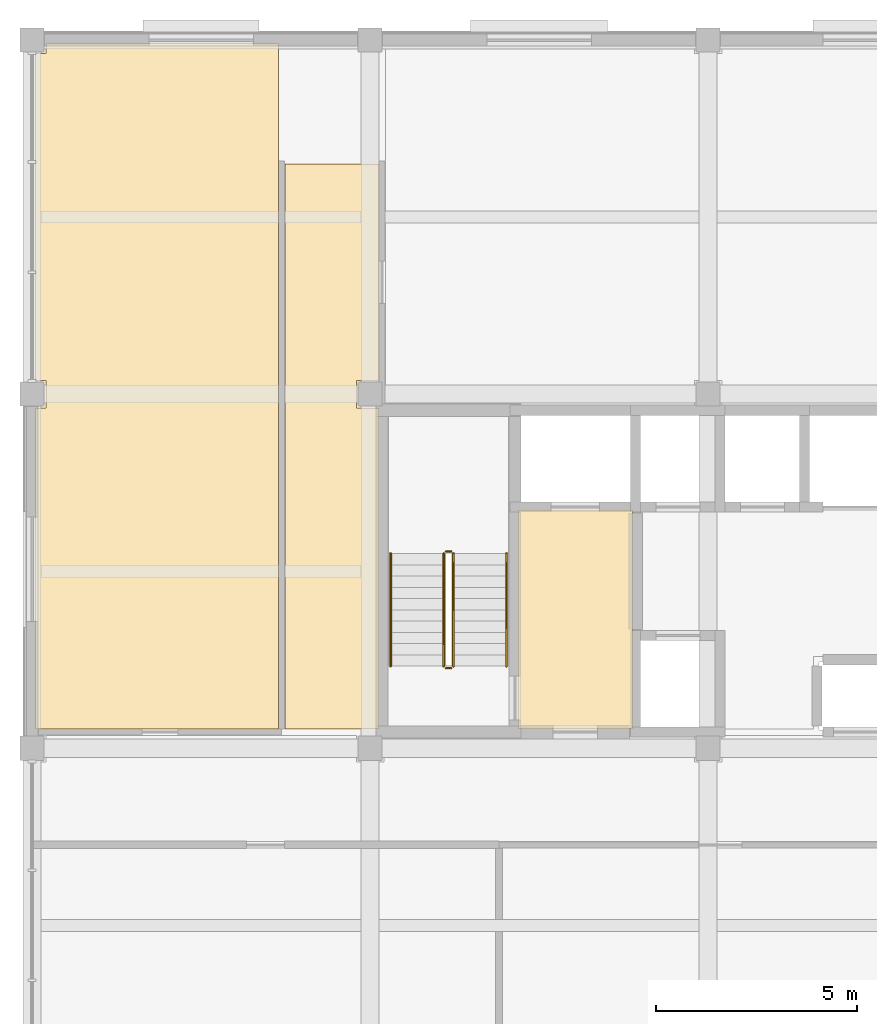
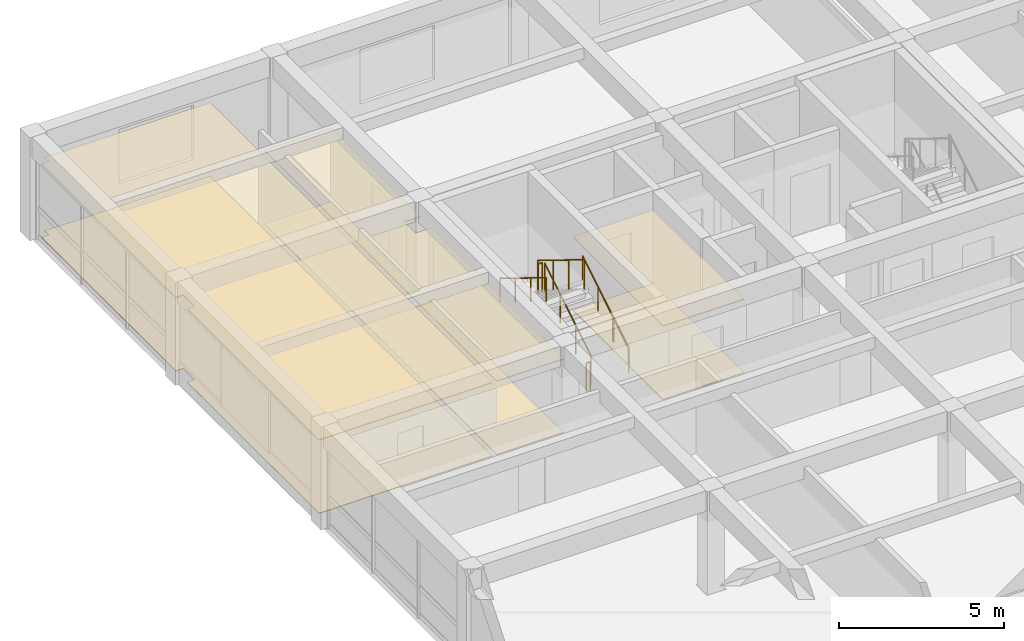
# One storey, part 10 of 12: 6 coverings, 6 railings.
"""IFC4 building model written with IfcOpenShell, lengths in metres."""

from ifc_helpers import new_model, si_unit, direction, frame, origin, origin_2d, place, context, subcontext, project, spatial, polyline, circle, outline, extrude, material, layer, layer_set, type_object, element, save


model = new_model("IFC4")

# Units and contexts
model_context = context("Model", 3, precision=1e-05, world=origin(), true_north=direction((0.0, 1.0)))
body_context = subcontext(model_context, "Body", "Model", "MODEL_VIEW")
ifc_project = project(units=[si_unit("LENGTHUNIT", "METRE"), si_unit("AREAUNIT", "SQUARE_METRE"), si_unit("VOLUMEUNIT", "CUBIC_METRE"), si_unit("PLANEANGLEUNIT", "RADIAN"), si_unit("MASSUNIT", "GRAM", prefix="KILO")], contexts=[model_context])

# Site, building, storey
site_placement = place(None, origin())
site = spatial("IfcSite", under=ifc_project, at=site_placement, CompositionType="ELEMENT")
building_placement = place(site_placement, origin())
building = spatial("IfcBuilding", under=site, at=building_placement, Name="Kemercrest Conservatory and Botanical Centre", CompositionType="ELEMENT")
storey_placement = place(building_placement, frame((0.0, 0.0, 56.0)))
storey = spatial("IfcBuildingStorey", under=building, at=storey_placement, Name="L14", CompositionType="ELEMENT", Elevation=56.0)

# Coverings
ifc_material_1 = material(Name="Perforated acoustic gypsum and mineral-fibre suspended ceiling", Category="gypsum")
ifc_layer_1 = layer(ifc_material_1, 0.034912109375)
ifc_layer_set_1 = layer_set([ifc_layer_1], Name="Perforated acoustic gypsum and mineral-fibre suspended ceiling")
covering_type_1 = type_object("IfcCoveringType", Name="CV-CLG035", PredefinedType="CEILING", material=ifc_layer_set_1)
covering_1_placement = place(storey_placement, frame((0.0, 0.0, 2.699951171875)))
element("IfcCovering", 1, at=covering_1_placement, inside=storey, type_object=covering_type_1, Name="Firefighting Lobby suspended acoustic ceiling", PredefinedType="CEILING", context=body_context, shape_type="SweptSolid", body=[
    extrude(outline(polyline([(154.47998046875, 105.280029296875), (157.320068359375, 105.280029296875), (157.320068359375, 110.719970703125), (154.47998046875, 110.719970703125), (154.47998046875, 105.280029296875)])), origin(), (0.0, 0.0, 1.0), 0.03515625),
])
covering_2_placement = place(storey_placement, frame((0.0, 0.0, 2.699951171875)))
element("IfcCovering", 2, at=covering_2_placement, inside=storey, type_object=covering_type_1, Name="Visiting Fellow Office suspended acoustic ceiling", PredefinedType="CEILING", context=body_context, shape_type="SweptSolid", body=[
    extrude(outline(polyline([(142.47998046875, 105.280029296875), (148.52001953125, 105.280029296875), (148.52001953125, 122.320068359375), (142.739990234375, 122.320068359375), (142.739990234375, 122.06005859375), (142.47998046875, 122.06005859375), (142.47998046875, 113.93994140625), (142.739990234375, 113.93994140625), (142.739990234375, 113.260009765625), (142.47998046875, 113.260009765625), (142.47998046875, 105.280029296875)])), origin(), (0.0, 0.0, 1.0), 0.03515625),
])
covering_3_placement = place(storey_placement, frame((0.0, 0.0, 2.699951171875)))
element("IfcCovering", 3, at=covering_3_placement, inside=storey, type_object=covering_type_1, Name="North Core Lobby Branch suspended acoustic ceiling", PredefinedType="CEILING", context=body_context, shape_type="SweptSolid", body=[
    extrude(outline(polyline([(148.679931640625, 105.280029296875), (151.02001953125, 105.280029296875), (151.02001953125, 113.260009765625), (150.4599609375, 113.260009765625), (150.4599609375, 113.93994140625), (151.02001953125, 113.93994140625), (151.02001953125, 119.320068359375), (148.679931640625, 119.320068359375), (148.679931640625, 105.280029296875)])), origin(), (0.0, 0.0, 1.0), 0.03515625),
])
ifc_material_2 = material(Name="Polished limestone terrazzo and seamless laboratory epoxy flooring", Category="masonry")
ifc_layer_2 = layer(ifc_material_2, 0.02001953125)
ifc_layer_set_2 = layer_set([ifc_layer_2], Name="Polished limestone terrazzo and seamless laboratory epoxy flooring")
covering_type_2 = type_object("IfcCoveringType", Name="CV-FLR020", PredefinedType="FLOORING", material=ifc_layer_set_2)
covering_4_placement = place(storey_placement, origin())
element("IfcCovering", 4, at=covering_4_placement, inside=storey, type_object=covering_type_2, Name="Firefighting Lobby floor finish", PredefinedType="FLOORING", context=body_context, shape_type="SweptSolid", body=[
    extrude(outline(polyline([(154.47998046875, 105.280029296875), (157.320068359375, 105.280029296875), (157.320068359375, 110.719970703125), (154.47998046875, 110.719970703125), (154.47998046875, 105.280029296875)])), origin(), (0.0, 0.0, 1.0), 0.02001953125),
])
covering_5_placement = place(storey_placement, origin())
element("IfcCovering", 5, at=covering_5_placement, inside=storey, type_object=covering_type_2, Name="Visiting Fellow Office floor finish", PredefinedType="FLOORING", context=body_context, shape_type="SweptSolid", body=[
    extrude(outline(polyline([(142.47998046875, 105.280029296875), (148.52001953125, 105.280029296875), (148.52001953125, 122.320068359375), (142.739990234375, 122.320068359375), (142.739990234375, 122.06005859375), (142.47998046875, 122.06005859375), (142.47998046875, 113.93994140625), (142.739990234375, 113.93994140625), (142.739990234375, 113.260009765625), (142.47998046875, 113.260009765625), (142.47998046875, 105.280029296875)])), origin(), (0.0, 0.0, 1.0), 0.02001953125),
])
covering_6_placement = place(storey_placement, origin())
element("IfcCovering", 6, at=covering_6_placement, inside=storey, type_object=covering_type_2, Name="North Core Lobby Branch floor finish", PredefinedType="FLOORING", context=body_context, shape_type="SweptSolid", body=[
    extrude(outline(polyline([(148.679931640625, 105.280029296875), (151.02001953125, 105.280029296875), (151.02001953125, 113.260009765625), (150.4599609375, 113.260009765625), (150.4599609375, 113.93994140625), (151.02001953125, 113.93994140625), (151.02001953125, 119.320068359375), (148.679931640625, 119.320068359375), (148.679931640625, 105.280029296875)])), origin(), (0.0, 0.0, 1.0), 0.02001953125),
])

# Railings
ifc_material_3 = material(Name="Painted galvanized steel tubular stair guardrail", Category="steel")
railing_type_1 = type_object("IfcRailingType", Name="GR-STR110", PredefinedType="GUARDRAIL", material=ifc_material_3)
railing_1_placement = place(storey_placement, frame((152.8701171875, 106.840087890625, 0.172607421875)))
element("IfcRailing", 7, at=railing_1_placement, inside=storey, type_object=railing_type_1, Name="L14 ST-V4A stair guard 1", PredefinedType="GUARDRAIL", context=body_context, shape_type="SweptSolid", body=[
    extrude(circle(Radius=0.02392578125, at=origin_2d()), frame((0.0, 0.0, 1.076171875), z_axis=(0.0, 0.851069175582, 0.525053576669), x_axis=(-1.0, 0.0, 0.0)), (0.0, 0.0, 1.0), 3.289794921875),
    extrude(circle(Radius=0.02099609375, at=origin_2d()), origin(), (0.0, 0.0, 1.0), 1.052001953125),
    extrude(circle(Radius=0.02099609375, at=origin_2d()), frame((0.0, 0.933349609375, 0.57568359375)), (0.0, 0.0, 1.0), 1.052001953125),
    extrude(circle(Radius=0.02099609375, at=origin_2d()), frame((0.0, 1.866455078125, 1.151611328125)), (0.0, 0.0, 1.0), 1.052001953125),
    extrude(circle(Radius=0.02099609375, at=origin_2d()), frame((0.0, 2.7998046875, 1.727294921875)), (0.0, 0.0, 1.0), 1.052001953125),
])
railing_2_placement = place(storey_placement, frame((152.820068359375, 109.68994140625, 1.89990234375)))
element("IfcRailing", 8, at=railing_2_placement, inside=storey, type_object=railing_type_1, Name="L14 ST-V4A stair guard 2", PredefinedType="GUARDRAIL", context=body_context, shape_type="SweptSolid", body=[
    extrude(circle(Radius=0.02392578125, at=origin_2d()), frame((0.0, 0.0, 1.076171875), z_axis=(-1.0, 0.0, 0.0), x_axis=(0.0, -1.0, 0.0)), (0.0, 0.0, 1.0), 0.14013671875),
    extrude(circle(Radius=0.02099609375, at=origin_2d()), origin(), (0.0, 0.0, 1.0), 1.052001953125),
    extrude(circle(Radius=0.02099609375, at=origin_2d()), frame((-0.14013671875, 0.0, 0.0)), (0.0, 0.0, 1.0), 1.052001953125),
])
railing_3_placement = place(storey_placement, frame((152.6298828125, 109.639892578125, 2.07275390625)))
element("IfcRailing", 9, at=railing_3_placement, inside=storey, type_object=railing_type_1, Name="L14 ST-V4A stair guard 3", PredefinedType="GUARDRAIL", context=body_context, shape_type="SweptSolid", body=[
    extrude(circle(Radius=0.02392578125, at=origin_2d()), frame((0.0, 0.0, 1.076171875), z_axis=(0.0, -0.851069175582, 0.525053576669), x_axis=(1.0, 0.0, 0.0)), (0.0, 0.0, 1.0), 3.289794921875),
    extrude(circle(Radius=0.02099609375, at=origin_2d()), origin(), (0.0, 0.0, 1.0), 1.052001953125),
    extrude(circle(Radius=0.02099609375, at=origin_2d()), frame((0.0, -0.933349609375, 0.57568359375)), (0.0, 0.0, 1.0), 1.052001953125),
    extrude(circle(Radius=0.02099609375, at=origin_2d()), frame((0.0, -1.866455078125, 1.151611328125)), (0.0, 0.0, 1.0), 1.052001953125),
    extrude(circle(Radius=0.02099609375, at=origin_2d()), frame((0.0, -2.7998046875, 1.727294921875)), (0.0, 0.0, 1.0), 1.052001953125),
])
railing_4_placement = place(storey_placement, frame((152.820068359375, 106.7900390625, 0.0)))
element("IfcRailing", 10, at=railing_4_placement, inside=storey, type_object=railing_type_1, Name="L14 ST-V4A stair guard 4", PredefinedType="GUARDRAIL", context=body_context, shape_type="SweptSolid", body=[
    extrude(circle(Radius=0.02392578125, at=origin_2d()), frame((0.0, 0.0, 1.076171875), z_axis=(-1.0, 0.0, 0.0), x_axis=(0.0, -1.0, 0.0)), (0.0, 0.0, 1.0), 0.14013671875),
    extrude(circle(Radius=0.02099609375, at=origin_2d()), origin(), (0.0, 0.0, 1.0), 1.052001953125),
    extrude(circle(Radius=0.02099609375, at=origin_2d()), frame((-0.14013671875, 0.0, 0.0)), (0.0, 0.0, 1.0), 1.052001953125),
])
ifc_material_4 = material(Name="Brushed stainless steel wall-mounted handrail", Category="steel")
railing_type_2 = type_object("IfcRailingType", Name="HR-STR090", PredefinedType="HANDRAIL", material=ifc_material_4)
railing_5_placement = place(storey_placement, frame((154.18994140625, 106.840087890625, 0.172607421875)))
element("IfcRailing", 11, at=railing_5_placement, inside=storey, type_object=railing_type_2, Name="L14 ST-V4A stair handrail 1", PredefinedType="HANDRAIL", context=body_context, shape_type="SweptSolid", body=[
    extrude(circle(Radius=0.02392578125, at=origin_2d()), frame((0.0, 0.0, 0.8759765625), z_axis=(0.0, 0.851069175582, 0.525053576669), x_axis=(-1.0, 0.0, 0.0)), (0.0, 0.0, 1.0), 3.289794921875),
    extrude(circle(Radius=0.02099609375, at=origin_2d()), origin(), (0.0, 0.0, 1.0), 0.851806640625),
    extrude(circle(Radius=0.02099609375, at=origin_2d()), frame((0.0, 0.933349609375, 0.57568359375)), (0.0, 0.0, 1.0), 0.851806640625),
    extrude(circle(Radius=0.02099609375, at=origin_2d()), frame((0.0, 1.866455078125, 1.151611328125)), (0.0, 0.0, 1.0), 0.851806640625),
    extrude(circle(Radius=0.02099609375, at=origin_2d()), frame((0.0, 2.7998046875, 1.727294921875)), (0.0, 0.0, 1.0), 0.851806640625),
])
railing_6_placement = place(storey_placement, frame((151.31005859375, 109.639892578125, 2.07275390625)))
element("IfcRailing", 12, at=railing_6_placement, inside=storey, type_object=railing_type_2, Name="L14 ST-V4A stair handrail 2", PredefinedType="HANDRAIL", context=body_context, shape_type="SweptSolid", body=[
    extrude(circle(Radius=0.02392578125, at=origin_2d()), frame((0.0, 0.0, 0.8759765625), z_axis=(0.0, -0.851069175582, 0.525053576669), x_axis=(1.0, 0.0, 0.0)), (0.0, 0.0, 1.0), 3.289794921875),
    extrude(circle(Radius=0.02099609375, at=origin_2d()), origin(), (0.0, 0.0, 1.0), 0.851806640625),
    extrude(circle(Radius=0.02099609375, at=origin_2d()), frame((0.0, -0.933349609375, 0.57568359375)), (0.0, 0.0, 1.0), 0.851806640625),
    extrude(circle(Radius=0.02099609375, at=origin_2d()), frame((0.0, -1.866455078125, 1.151611328125)), (0.0, 0.0, 1.0), 0.851806640625),
    extrude(circle(Radius=0.02099609375, at=origin_2d()), frame((0.0, -2.7998046875, 1.727294921875)), (0.0, 0.0, 1.0), 0.851806640625),
])

save(model, "model.ifc")
